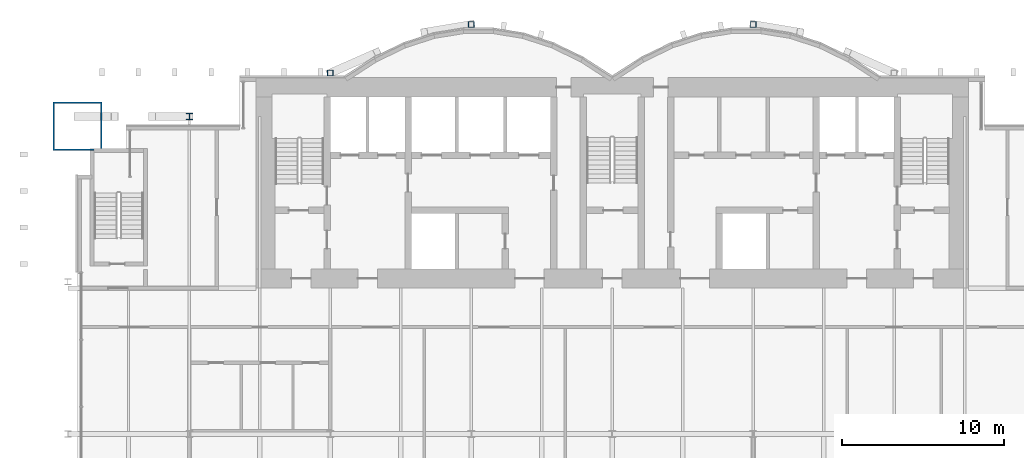
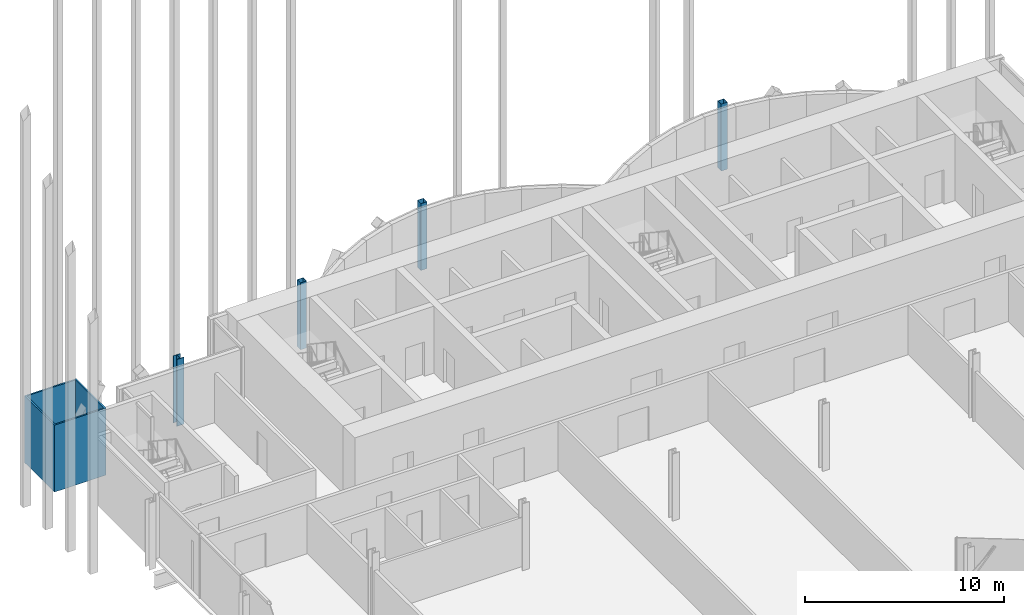
# One storey, part 2 of 22: 5 columns.
"""IFC4 building model written with IfcOpenShell, lengths in metres."""

from ifc_helpers import new_model, si_unit, direction, frame, origin, origin_2d, place, context, subcontext, project, spatial, hollow_rectangle, i_section, extrude, material, material_profile, profile_set, type_object, element, save


model = new_model("IFC4")

# Units and contexts
model_context = context("Model", 3, precision=1e-05, world=origin(), true_north=direction((0.0, 1.0)))
body_context = subcontext(model_context, "Body", "Model", "MODEL_VIEW")
ifc_project = project(units=[si_unit("LENGTHUNIT", "METRE"), si_unit("AREAUNIT", "SQUARE_METRE"), si_unit("VOLUMEUNIT", "CUBIC_METRE"), si_unit("PLANEANGLEUNIT", "RADIAN"), si_unit("MASSUNIT", "GRAM", prefix="KILO")], contexts=[model_context])

# Site, building, storey
site_placement = place(None, origin())
site = spatial("IfcSite", under=ifc_project, at=site_placement, CompositionType="ELEMENT")
building_placement = place(site_placement, origin())
building = spatial("IfcBuilding", under=site, at=building_placement, Name="Bicima Exchange Tower", CompositionType="ELEMENT")
storey_placement = place(building_placement, frame((0.0, 0.0, 89.89990234375)))
storey = spatial("IfcBuildingStorey", under=building, at=storey_placement, Name="L18", CompositionType="ELEMENT", Elevation=89.89990234375)

# Columns
ifc_material_1 = material(Name="Steel ASTM A572 Gr 50", Category="steel")
ifc_material_profile_1 = material_profile(ifc_material_1, hollow_rectangle(XDim=3.0, YDim=3.0, WallThickness=0.090087890625, at=origin_2d()))
ifc_profile_set_1 = profile_set([ifc_material_profile_1], Name="Steel ASTM A572 Gr 50")
column_type_1 = type_object("IfcColumnType", Name="Mega column BOX 3000x3000x90", PredefinedType="COLUMN", material=ifc_profile_set_1)
column_1_placement = place(storey_placement, frame((-33.0, -3.0, 0.0), z_axis=(0.0, 0.0, 1.0), x_axis=(1.0, 0.0, 0.0)))
element("IfcColumn", 1, at=column_1_placement, inside=storey, type_object=column_type_1, Name="Mega column mega-33.0r", PredefinedType="COLUMN", context=body_context, shape_type="SweptSolid", body=[
    extrude(hollow_rectangle(XDim=3.0, YDim=3.0, WallThickness=0.090087890625, at=origin_2d()), origin(), (0.0, 0.0, 1.0), 4.10009765625),
])
ifc_material_2 = material(Name="Steel ASTM A992 Gr 50", Category="steel")
ifc_material_profile_2 = material_profile(ifc_material_2, i_section(OverallWidth=0.398681640625, OverallDepth=0.393798828125, WebThickness=0.022705078125, FlangeThickness=0.03662109375, at=origin_2d()))
ifc_profile_set_2 = profile_set([ifc_material_profile_2], Name="Steel ASTM A992 Gr 50")
column_type_2 = type_object("IfcColumnType", Name="Perimeter column W14x193", PredefinedType="COLUMN", material=ifc_profile_set_2)
column_2_placement = place(storey_placement, frame((-26.10009765625, -2.39990234375, 0.0), z_axis=(0.0, 0.0, 1.0), x_axis=(1.0, 0.0, 0.0)))
element("IfcColumn", 2, at=column_2_placement, inside=storey, type_object=column_type_2, Name="Perimeter column grav-26.1r", PredefinedType="COLUMN", context=body_context, shape_type="SweptSolid", body=[
    extrude(i_section(OverallWidth=0.398681640625, OverallDepth=0.393798828125, WebThickness=0.022705078125, FlangeThickness=0.03662109375, at=origin_2d()), origin(), (0.0, 0.0, 1.0), 4.10009765625),
])
ifc_material_profile_3 = material_profile(ifc_material_1, hollow_rectangle(XDim=0.355712890625, YDim=0.355712890625, WallThickness=0.01171875, at=origin_2d()))
ifc_profile_set_3 = profile_set([ifc_material_profile_3], Name="Steel ASTM A572 Gr 50")
column_type_3 = type_object("IfcColumnType", Name="Rear pilaster HSS14x14x1/2", PredefinedType="COLUMN", material=ifc_profile_set_3)
for number, where, z_axis, x_axis, name in (
    (3, (-8.699951171875, 3.26904296875, 0.0), (0.0, 0.0, 1.0), (1.0, 0.0, 0.0), "Rear pilaster rexo-8.7r"),
    (4, (-17.39990234375, 0.278076171875, 0.0), (0.0, 0.0, 1.0), (1.0, 0.0, 0.0), "Rear pilaster rexo-17.4r"),
    (5, (8.699951171875, 3.26904296875, 0.0), (0.0, 0.0, 1.0), (1.0, 0.0, 0.0), "Rear pilaster rexo+8.7r"),
):
    element("IfcColumn", number, at=place(storey_placement, frame(where, z_axis=z_axis, x_axis=x_axis)), inside=storey, type_object=column_type_3, Name=name, PredefinedType="COLUMN", context=body_context, shape_type="SweptSolid", body=[
        extrude(hollow_rectangle(XDim=0.355712890625, YDim=0.355712890625, WallThickness=0.01171875, at=origin_2d()), origin(), (0.0, 0.0, 1.0), 4.10009765625),
    ])

save(model, "model.ifc")
